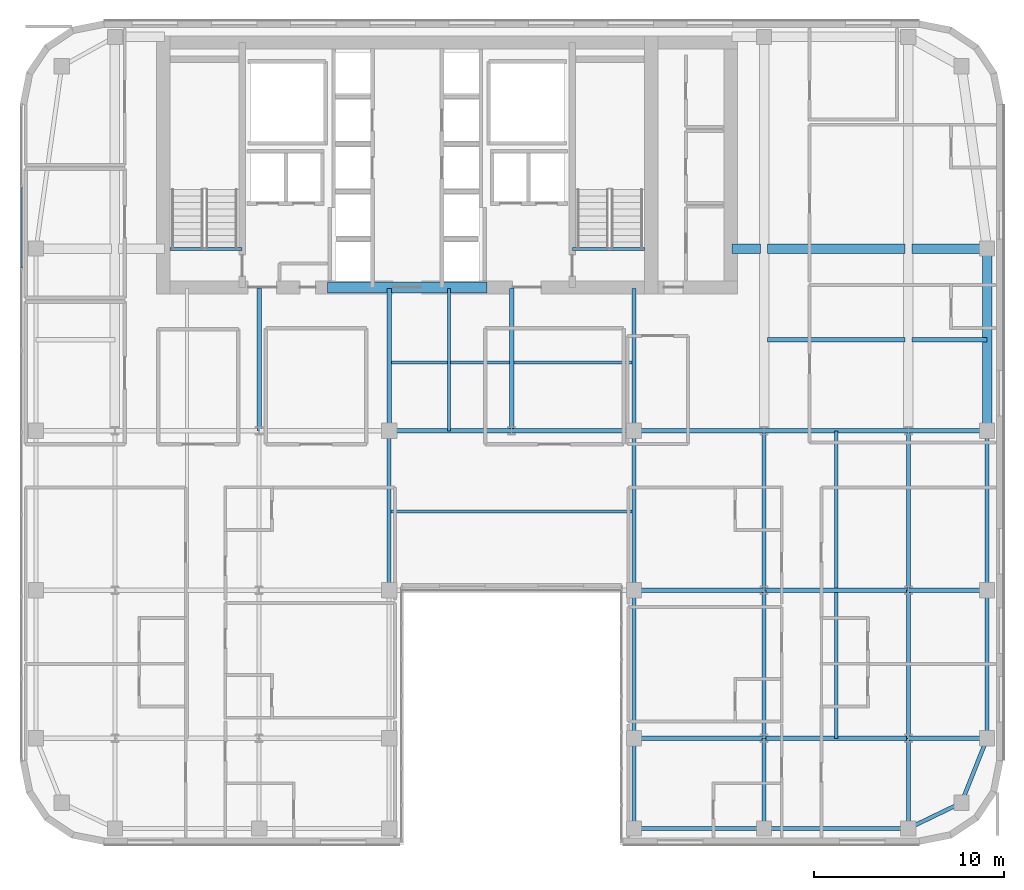
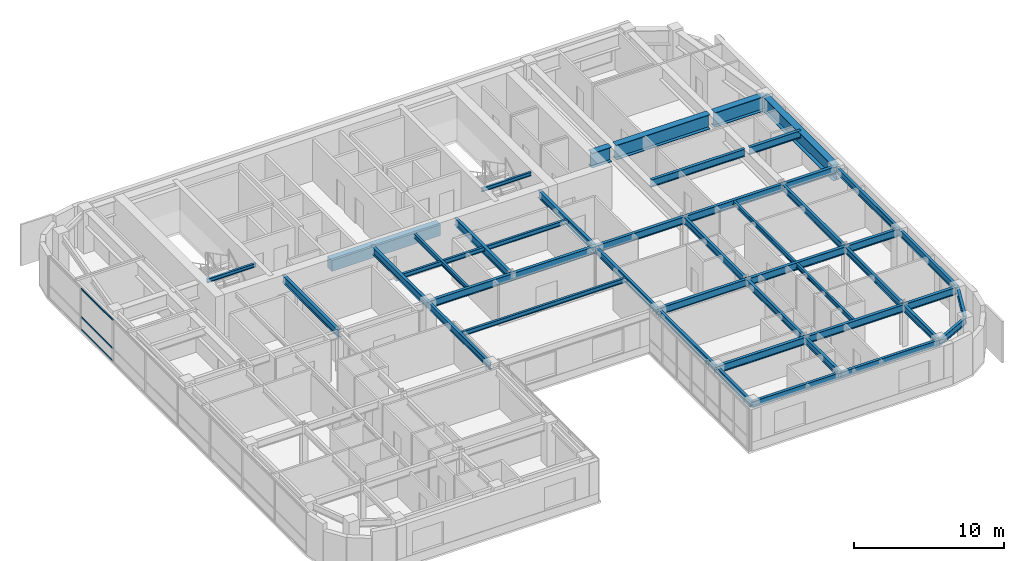
# One storey, part 12 of 28: 45 beams, 3 members, 1 element without a shape of its own.
"""IFC4 building model written with IfcOpenShell, lengths in metres."""

import ifcopenshell
import ifcopenshell.guid

model = None  # the IFC model being written
_history = None  # IfcOwnerHistory: only IFC2X3 demands one
_inside = {}  # id of a spatial element -> (the spatial element, [elements in it])
_under = {}  # id of a project, library or spatial element -> (it, [spatial elements below it])
_declared = {}  # id of a project -> (the project, [libraries it declares])
_typed = {}  # id of a type object -> (the type object, [elements of that type])
_made_of = {}  # id of a material, layer set ... -> (it, [elements and type objects made of it])


def new_model(schema):
    """Start an empty IFC model of exactly this schema.

    Asked for "IFC4X3", IfcOpenShell would pick the latest addendum, in which some entities
    have other attributes; the version numbers below select the first issue.
    IFC2X3 requires an IfcOwnerHistory on every rooted entity: one is made here for all.
    """
    global model, _history
    if schema == "IFC4X3":
        model = ifcopenshell.file(schema_version=(4, 3, 0, 0))
    else:
        model = ifcopenshell.file(schema=schema)
    _inside.clear()
    _under.clear()
    _declared.clear()
    _typed.clear()
    _made_of.clear()
    _history = None
    if model.schema == "IFC2X3":
        org = make("IfcOrganization", Name="unknown")
        user = make(
            "IfcPersonAndOrganization",
            ThePerson=make("IfcPerson", FamilyName="unknown"),
            TheOrganization=org,
        )
        app = make(
            "IfcApplication",
            ApplicationDeveloper=org,
            Version="unknown",
            ApplicationFullName="unknown",
            ApplicationIdentifier="unknown",
        )
        _history = make(
            "IfcOwnerHistory",
            OwningUser=user,
            OwningApplication=app,
            ChangeAction="ADDED",
            CreationDate=0,
        )
    return model


def make(cls, **values):
    """One entity of the class cls with the attributes given. An attribute that is None is left unset."""
    return model.create_entity(
        cls, **{name: value for name, value in values.items() if value is not None}
    )


def rooted(cls, **values):
    """An entity with a GlobalId (a new one), such as an element, a storey or a relation."""
    return make(cls, GlobalId=ifcopenshell.guid.new(), OwnerHistory=_history, **values)


def si_unit(unit_type, name, prefix=None):
    """IfcSIUnit, for example si_unit("LENGTHUNIT", "METRE", prefix="MILLI")."""
    return make("IfcSIUnit", UnitType=unit_type, Prefix=prefix, Name=name)


def assignment(units):
    """IfcUnitAssignment: the units of a project."""
    return None if units is None else make("IfcUnitAssignment", Units=units)


def point(xyz):
    """IfcCartesianPoint."""
    return None if xyz is None else make("IfcCartesianPoint", Coordinates=xyz)


def direction(xyz):
    """IfcDirection."""
    return None if xyz is None else make("IfcDirection", DirectionRatios=xyz)


def frame(location, z_axis=None, x_axis=None):
    """IfcAxis2Placement3D, a coordinate frame: its origin and axes. An axis left out is left unset."""
    return make(
        "IfcAxis2Placement3D",
        Location=point(location),
        Axis=direction(z_axis),
        RefDirection=direction(x_axis),
    )


def frame_2d(location, x_axis=None):
    """IfcAxis2Placement2D, a coordinate frame in the plane: its origin and x axis."""
    return make(
        "IfcAxis2Placement2D", Location=point(location), RefDirection=direction(x_axis)
    )


def origin():
    """The frame at (0, 0, 0) with its axes left unset."""
    return frame((0.0, 0.0, 0.0))


def origin_2d():
    """The frame at (0, 0) in the plane with its x axis left unset."""
    return frame_2d((0.0, 0.0))


def place(relative_to, where):
    """IfcLocalPlacement: puts the frame where relative to a parent placement (None: the world)."""
    return make(
        "IfcLocalPlacement", PlacementRelTo=relative_to, RelativePlacement=where
    )


def context(
    kind, dimensions, precision=None, world=None, true_north=None, identifier=None
):
    """IfcGeometricRepresentationContext, for example the 3D "Model" context."""
    return make(
        "IfcGeometricRepresentationContext",
        ContextIdentifier=identifier,
        ContextType=kind,
        CoordinateSpaceDimension=dimensions,
        Precision=precision,
        WorldCoordinateSystem=world,
        TrueNorth=true_north,
    )


def subcontext(parent, identifier, kind, view, scale=None):
    """IfcGeometricRepresentationSubContext, for example "Body" below "Model"."""
    return make(
        "IfcGeometricRepresentationSubContext",
        ContextIdentifier=identifier,
        ContextType=kind,
        ParentContext=parent,
        TargetScale=scale,
        TargetView=view,
    )


def project(units=None, contexts=None):
    """IfcProject with its units and contexts."""
    return rooted(
        "IfcProject",
        Name="project",
        RepresentationContexts=contexts,
        UnitsInContext=assignment(units),
    )


def spatial(cls, under=None, at=None, **own):
    """A site, building, storey or space (cls), placed at a placement, below another one or the project."""
    s = rooted(cls, ObjectPlacement=at, **own)
    if under is not None:
        _under.setdefault(under.id(), (under, []))[1].append(s)
    return s


def profile(cls, at=None, kind="AREA", **sizes):
    """A parametric profile (cls). Its sizes go by their IFC names, for example OverallWidth=200.0."""
    return make(cls, ProfileType=kind, Position=at, **sizes)


def rectangle(**sizes):
    """IfcRectangleProfileDef."""
    return profile("IfcRectangleProfileDef", **sizes)


def hollow_rectangle(**sizes):
    """IfcRectangleHollowProfileDef."""
    return profile("IfcRectangleHollowProfileDef", **sizes)


def i_section(**sizes):
    """IfcIShapeProfileDef."""
    return profile("IfcIShapeProfileDef", **sizes)


def extrude(swept, where, along, depth):
    """IfcExtrudedAreaSolid: the profile swept, set in the frame where, extruded along a direction by depth."""
    return make(
        "IfcExtrudedAreaSolid",
        SweptArea=swept,
        Position=where,
        ExtrudedDirection=direction(along),
        Depth=depth,
    )


def shape(context_of_items, identifier, shape_type, items):
    """IfcShapeRepresentation: the items that make up one representation, for example the "Body"."""
    return make(
        "IfcShapeRepresentation",
        ContextOfItems=context_of_items,
        RepresentationIdentifier=identifier,
        RepresentationType=shape_type,
        Items=items,
    )


def source(mapping_origin, context_of_items, identifier, shape_type, items):
    """IfcRepresentationMap: a shape defined once, which mapped items show again and again."""
    return make(
        "IfcRepresentationMap",
        MappingOrigin=mapping_origin,
        MappedRepresentation=shape(context_of_items, identifier, shape_type, items),
    )


def transform(
    local_origin,
    x_axis=None,
    y_axis=None,
    z_axis=None,
    scale=None,
    scale2=None,
    scale3=None,
    uniform=True,
):
    """IfcCartesianTransformationOperator3D, or its non-uniform kind. x_axis, y_axis, z_axis: its Axis1, 2, 3."""
    if uniform:
        return make(
            "IfcCartesianTransformationOperator3D",
            Axis1=direction(x_axis),
            Axis2=direction(y_axis),
            LocalOrigin=point(local_origin),
            Scale=scale,
            Axis3=direction(z_axis),
        )
    return make(
        "IfcCartesianTransformationOperator3DnonUniform",
        Axis1=direction(x_axis),
        Axis2=direction(y_axis),
        LocalOrigin=point(local_origin),
        Scale=scale,
        Axis3=direction(z_axis),
        Scale2=scale2,
        Scale3=scale3,
    )


def mapped(mapping_source, mapping_target):
    """IfcMappedItem: shows the shape of a source again, moved by a transform."""
    return make(
        "IfcMappedItem", MappingSource=mapping_source, MappingTarget=mapping_target
    )


def material(Name=None, Category=None):
    """IfcMaterial."""
    return make("IfcMaterial", Name=Name, Category=Category)


def layer(
    of_material, thickness, ventilated=None, Name=None, Category=None, Priority=None
):
    """IfcMaterialLayer: one layer of a wall or slab, of a material (None: an air gap)."""
    return make(
        "IfcMaterialLayer",
        Material=of_material,
        LayerThickness=thickness,
        IsVentilated=ventilated,
        Name=Name,
        Category=Category,
        Priority=Priority,
    )


def layer_set(layers, Name=None):
    """IfcMaterialLayerSet."""
    return make("IfcMaterialLayerSet", MaterialLayers=layers, LayerSetName=Name)


def material_profile(
    of_material, cross_section, Name=None, Category=None, Priority=None
):
    """IfcMaterialProfile: a cross section and its material."""
    return make(
        "IfcMaterialProfile",
        Name=Name,
        Material=of_material,
        Profile=cross_section,
        Priority=Priority,
        Category=Category,
    )


def profile_set(profiles, Name=None, composite=None):
    """IfcMaterialProfileSet."""
    return make(
        "IfcMaterialProfileSet",
        Name=Name,
        MaterialProfiles=profiles,
        CompositeProfile=composite,
    )


def made_of(thing, what):
    """Note that an element or type object is made of a material, layer set ...; save() writes the relation."""
    if what is not None:
        _made_of.setdefault(what.id(), (what, []))[1].append(thing)
    return thing


def type_object(cls, material=None, **own):
    """A type object (cls), such as IfcWallType, which elements share."""
    return made_of(rooted(cls, **own), material)


def type_shapes(of_type, sources):
    """Give a type object the sources (RepresentationMaps) that its elements show as mapped items."""
    of_type.RepresentationMaps = sources


def element(
    cls,
    number,
    at=None,
    inside=None,
    cuts=None,
    type_object=None,
    material=None,
    context=None,
    identifier="Body",
    shape_type=None,
    held_by="IfcProductDefinitionShape",
    body=None,
    shapes=None,
    **own,
):
    """One element of the class cls, such as IfcWall. Its Tag is "e" and its number.

    at: its placement. inside: the storey or other place that contains it. cuts: it is an
    opening in that element (IfcRelVoidsElement). A single representation is given by context,
    identifier, shape_type and body (its items); several are given by shapes. held_by: the class
    of the entity that holds the representations. save() writes the other relations.
    """
    e = rooted(cls, Tag="e%d" % number, ObjectPlacement=at, **own)
    if body is not None:
        shapes = [shape(context, identifier, shape_type, body)]
    if shapes is not None:
        e.Representation = make(held_by, Representations=shapes)
    if inside is not None:
        _inside.setdefault(inside.id(), (inside, []))[1].append(e)
    if cuts is not None:
        rooted(
            "IfcRelVoidsElement", RelatingBuildingElement=cuts, RelatedOpeningElement=e
        )
    if type_object is not None:
        _typed.setdefault(type_object.id(), (type_object, []))[1].append(e)
    return made_of(e, material)


def aggregate(whole, parts):
    """IfcRelAggregates: a whole, such as a stair, and the parts it consists of."""
    return rooted("IfcRelAggregates", RelatingObject=whole, RelatedObjects=parts)


def save(model, path):
    """Write the relations noted so far, then the file.

    IfcRelAggregates (storeys below a building ...), IfcRelContainedInSpatialStructure (elements
    in a storey), IfcRelDefinesByType, IfcRelAssociatesMaterial and IfcRelDeclares: one each for
    every whole, place, type object, material and project.
    """
    for whole, parts in _under.values():
        aggregate(whole, parts)
    for where, things in _inside.values():
        rooted(
            "IfcRelContainedInSpatialStructure",
            RelatedElements=things,
            RelatingStructure=where,
        )
    for kind, things in _typed.values():
        rooted("IfcRelDefinesByType", RelatedObjects=things, RelatingType=kind)
    for what, things in _made_of.values():
        rooted("IfcRelAssociatesMaterial", RelatedObjects=things, RelatingMaterial=what)
    for by, libraries in _declared.values():
        rooted("IfcRelDeclares", RelatingContext=by, RelatedDefinitions=libraries)
    model.write(path)


model = new_model("IFC4")

# Units and contexts
model_context = context("Model", 3, precision=1e-05, world=origin(), true_north=direction((0.0, 1.0)))
body_context = subcontext(model_context, "Body", "Model", "MODEL_VIEW")
ifc_project = project(units=[si_unit("LENGTHUNIT", "METRE"), si_unit("AREAUNIT", "SQUARE_METRE"), si_unit("VOLUMEUNIT", "CUBIC_METRE"), si_unit("PLANEANGLEUNIT", "RADIAN"), si_unit("MASSUNIT", "GRAM", prefix="KILO")], contexts=[model_context])

# Site, building, storey
site_placement = place(None, origin())
site = spatial("IfcSite", under=ifc_project, at=site_placement, CompositionType="ELEMENT")
building_placement = place(site_placement, origin())
building = spatial("IfcBuilding", under=site, at=building_placement, Name="Tolvann Quenvar Hotel", CompositionType="ELEMENT")
storey_placement = place(building_placement, frame((0.0, 0.0, 198.199951171875)))
storey = spatial("IfcBuildingStorey", under=building, at=storey_placement, Name="L52", CompositionType="ELEMENT", Elevation=198.199951171875)

# Beams
ifc_material_1 = material(Name="Concrete N50 (50 MPa)", Category="concrete")
ifc_material_profile_1 = material_profile(ifc_material_1, rectangle(XDim=0.60009765625, YDim=0.89990234375, at=origin_2d()), Name="RC600x900")
ifc_profile_set_1 = profile_set([ifc_material_profile_1], Name="Concrete N50 (50 MPa)")
beam_type_1 = type_object("IfcBeamType", Name="BM_LINT_RC600x900", PredefinedType="LINTEL", material=ifc_profile_set_1)
shared_shape_1 = source(origin(), body_context, "Body", "SweptSolid", [
    extrude(rectangle(XDim=0.60009765625, YDim=0.89990234375, at=origin_2d()), origin(), (0.0, 0.0, 1.0), 8.39990234375),
])
type_shapes(beam_type_1, [shared_shape_1])
beam_1_placement = place(storey_placement, frame((18.800048828125, 31.949951171875, 2.920166015625), z_axis=(1.0, 0.0, 0.0), x_axis=(0.0, 1.0, 0.0)))
element("IfcBeam", 1, at=beam_1_placement, inside=storey, type_object=beam_type_1, Name="Core Coupling Lintel Beam (L52)", PredefinedType="LINTEL", context=body_context, shape_type="MappedRepresentation", body=[
    mapped(shared_shape_1, transform((0.0, 0.0, 0.0), x_axis=(1.0, 0.0, 0.0), y_axis=(0.0, 1.0, 0.0), z_axis=(0.0, 0.0, 1.0), scale=1.0)),
])
ifc_material_2 = material(Name="Steel Grade 350", Category="steel")
ifc_material_profile_2 = material_profile(ifc_material_2, i_section(OverallWidth=0.5, OverallDepth=1.199951171875, WebThickness=0.01611328125, FlangeThickness=0.0400390625, at=origin_2d()), Name="1200WB455")
ifc_profile_set_2 = profile_set([ifc_material_profile_2], Name="Steel Grade 350")
beam_type_2 = type_object("IfcBeamType", Name="BM_TG_1200WB455", PredefinedType="USERDEFINED", material=ifc_profile_set_2)
shared_shape_2 = source(origin(), body_context, "Body", "SweptSolid", [
    extrude(i_section(OverallWidth=0.5, OverallDepth=1.199951171875, WebThickness=0.01611328125, FlangeThickness=0.0400390625, at=origin_2d()), origin(), (0.0, 0.0, 1.0), 9.60009765625),
])
beam_2_placement = place(storey_placement, frame((53.550048828125, 24.39990234375, 2.77001953125), z_axis=(0.0, 1.0, 0.0), x_axis=(-1.0, 0.0, 0.0)))
element("IfcBeam", 2, at=beam_2_placement, inside=storey, type_object=beam_type_2, Name="BM-L52-FLK-E1", ObjectType="TRANSFER GIRDER", PredefinedType="USERDEFINED", context=body_context, shape_type="MappedRepresentation", body=[
    mapped(shared_shape_2, transform((0.0, 0.0, 0.0), x_axis=(1.0, 0.0, 0.0), y_axis=(0.0, 1.0, 0.0), z_axis=(0.0, 0.0, 1.0), scale=1.0)),
])
ifc_material_profile_3 = material_profile(ifc_material_2, i_section(OverallWidth=0.208984375, OverallDepth=0.528076171875, WebThickness=0.009521484375, FlangeThickness=0.01318359375, FilletRadius=0.013916015625, at=origin_2d()), Name="530UB82")
ifc_profile_set_3 = profile_set([ifc_material_profile_3], Name="Steel Grade 350")
beam_type_3 = type_object("IfcBeamType", Name="BM_SPAND_530UB82", PredefinedType="SPANDREL", material=ifc_profile_set_3)
shared_shape_3 = source(origin(), body_context, "Body", "SweptSolid", [
    extrude(i_section(OverallWidth=0.208984375, OverallDepth=0.528076171875, WebThickness=0.009521484375, FlangeThickness=0.01318359375, FilletRadius=0.013916015625, at=origin_2d()), origin(), (0.0, 0.0, 1.0), 7.599853515625),
])
beam_3_placement = place(storey_placement, frame((41.800048828125, 3.449951171875, 3.10595703125), z_axis=(1.0, 0.0, 0.0), x_axis=(0.0, 1.0, 0.0)))
element("IfcBeam", 3, at=beam_3_placement, inside=storey, type_object=beam_type_3, Name="BM-L52-EW-2-H2-I2", PredefinedType="SPANDREL", context=body_context, shape_type="MappedRepresentation", body=[
    mapped(shared_shape_3, transform((0.0, 0.0, 0.0), x_axis=(1.0, 0.0, 0.0), y_axis=(0.0, 1.0, 0.0), z_axis=(0.0, 0.0, 1.0), scale=1.0)),
])
shared_shape_4 = source(origin(), body_context, "Body", "SweptSolid", [
    extrude(i_section(OverallWidth=0.208984375, OverallDepth=0.528076171875, WebThickness=0.009521484375, FlangeThickness=0.01318359375, FilletRadius=0.013916015625, at=origin_2d()), origin(), (0.0, 0.0, 1.0), 6.85009765625),
])
beam_4_placement = place(storey_placement, frame((34.949951171875, 3.449951171875, 3.10595703125), z_axis=(1.0, 0.0, 0.0), x_axis=(0.0, 1.0, 0.0)))
element("IfcBeam", 4, at=beam_4_placement, inside=storey, type_object=beam_type_3, Name="BM-L52-EW-2-F2-H2", PredefinedType="SPANDREL", context=body_context, shape_type="MappedRepresentation", body=[
    mapped(shared_shape_4, transform((0.0, 0.0, 0.0), x_axis=(1.0, 0.0, 0.0), y_axis=(0.0, 1.0, 0.0), z_axis=(0.0, 0.0, 1.0), scale=1.0)),
])
shared_shape_5 = source(origin(), body_context, "Body", "SweptSolid", [
    extrude(i_section(OverallWidth=0.208984375, OverallDepth=0.528076171875, WebThickness=0.009521484375, FlangeThickness=0.01318359375, FilletRadius=0.013916015625, at=origin_2d()), origin(), (0.0, 0.0, 1.0), 7.800048828125),
])
beam_5_placement = place(storey_placement, frame((53.550048828125, 8.199951171875, 3.10595703125), z_axis=(0.0, 1.0, 0.0), x_axis=(-1.0, 0.0, 0.0)))
element("IfcBeam", 5, at=beam_5_placement, inside=storey, type_object=beam_type_3, Name="BM-L52-NS-J3-J4", PredefinedType="SPANDREL", context=body_context, shape_type="MappedRepresentation", body=[
    mapped(shared_shape_5, transform((0.0, 0.0, 0.0), x_axis=(1.0, 0.0, 0.0), y_axis=(0.0, 1.0, 0.0), z_axis=(0.0, 0.0, 1.0), scale=1.0)),
])
shared_shape_6 = source(origin(), body_context, "Body", "SweptSolid", [
    extrude(i_section(OverallWidth=0.208984375, OverallDepth=0.528076171875, WebThickness=0.009521484375, FlangeThickness=0.01318359375, FilletRadius=0.013916015625, at=origin_2d()), origin(), (0.0, 0.0, 1.0), 8.39990234375),
])
beam_6_placement = place(storey_placement, frame((53.550048828125, 16.0, 3.10595703125), z_axis=(0.0, 1.0, 0.0), x_axis=(-1.0, 0.0, 0.0)))
element("IfcBeam", 6, at=beam_6_placement, inside=storey, type_object=beam_type_3, Name="BM-L52-NS-J4-J5", PredefinedType="SPANDREL", context=body_context, shape_type="MappedRepresentation", body=[
    mapped(shared_shape_6, transform((0.0, 0.0, 0.0), x_axis=(1.0, 0.0, 0.0), y_axis=(0.0, 1.0, 0.0), z_axis=(0.0, 0.0, 1.0), scale=1.0)),
])
ifc_material_profile_4 = material_profile(ifc_material_2, i_section(OverallWidth=0.208984375, OverallDepth=0.532958984375, WebThickness=0.01025390625, FlangeThickness=0.015625, FilletRadius=0.013916015625, at=origin_2d()), Name="530UB92")
ifc_profile_set_4 = profile_set([ifc_material_profile_4], Name="Steel Grade 350")
beam_type_4 = type_object("IfcBeamType", Name="BM_GIRD_530UB92", PredefinedType="BEAM", material=ifc_profile_set_4)
shared_shape_7 = source(origin(), body_context, "Body", "SweptSolid", [
    extrude(i_section(OverallWidth=0.208984375, OverallDepth=0.532958984375, WebThickness=0.01025390625, FlangeThickness=0.015625, FilletRadius=0.013916015625, at=origin_2d()), origin(), (0.0, 0.0, 1.0), 7.800048828125),
])
for number, where, z_axis, x_axis, name in (
    (7, (34.949951171875, 8.199951171875, 3.103515625), (0.0, 1.0, 0.0), (-1.0, 0.0, 0.0), "BM-L52-NS-F3-F4"),
    (8, (41.800048828125, 8.199951171875, 3.103515625), (0.0, 1.0, 0.0), (-1.0, 0.0, 0.0), "BM-L52-NS-H3-H4"),
    (9, (49.39990234375, 8.199951171875, 3.103515625), (0.0, 1.0, 0.0), (-1.0, 0.0, 0.0), "BM-L52-NS-I3-I4"),
):
    element("IfcBeam", number, at=place(storey_placement, frame(where, z_axis=z_axis, x_axis=x_axis)), inside=storey, type_object=beam_type_4, Name=name, PredefinedType="BEAM", context=body_context, shape_type="MappedRepresentation", body=[
        mapped(shared_shape_7, transform((0.0, 0.0, 0.0), x_axis=(1.0, 0.0, 0.0), y_axis=(0.0, 1.0, 0.0), z_axis=(0.0, 0.0, 1.0), scale=1.0)),
    ])
shared_shape_8 = source(origin(), body_context, "Body", "SweptSolid", [
    extrude(i_section(OverallWidth=0.208984375, OverallDepth=0.532958984375, WebThickness=0.01025390625, FlangeThickness=0.015625, FilletRadius=0.013916015625, at=origin_2d()), origin(), (0.0, 0.0, 1.0), 8.39990234375),
])
for number, where, z_axis, x_axis, name in (
    (10, (22.050048828125, 16.0, 3.103515625), (0.0, 1.0, 0.0), (-1.0, 0.0, 0.0), "BM-L52-NS-E4-E5"),
    (11, (34.949951171875, 16.0, 3.103515625), (0.0, 1.0, 0.0), (-1.0, 0.0, 0.0), "BM-L52-NS-F4-F5"),
    (12, (41.800048828125, 16.0, 3.103515625), (0.0, 1.0, 0.0), (-1.0, 0.0, 0.0), "BM-L52-NS-H4-H5"),
    (13, (49.39990234375, 16.0, 3.103515625), (0.0, 1.0, 0.0), (-1.0, 0.0, 0.0), "BM-L52-NS-I4-I5"),
):
    element("IfcBeam", number, at=place(storey_placement, frame(where, z_axis=z_axis, x_axis=x_axis)), inside=storey, type_object=beam_type_4, Name=name, PredefinedType="BEAM", context=body_context, shape_type="MappedRepresentation", body=[
        mapped(shared_shape_8, transform((0.0, 0.0, 0.0), x_axis=(1.0, 0.0, 0.0), y_axis=(0.0, 1.0, 0.0), z_axis=(0.0, 0.0, 1.0), scale=1.0)),
    ])
shared_shape_9 = source(origin(), body_context, "Body", "SweptSolid", [
    extrude(i_section(OverallWidth=0.5, OverallDepth=1.199951171875, WebThickness=0.01611328125, FlangeThickness=0.0400390625, at=origin_2d()), origin(), (0.0, 0.0, 1.0), 1.52001953125),
])
beam_7_placement = place(storey_placement, frame((40.10009765625, 34.0, 2.77001953125), z_axis=(1.0, 0.0, 0.0), x_axis=(0.0, 1.0, 0.0)))
element("IfcBeam", 14, at=beam_7_placement, inside=storey, type_object=beam_type_2, Name="BM-L52-CTE-JD6A", ObjectType="TRANSFER GIRDER", PredefinedType="USERDEFINED", context=body_context, shape_type="MappedRepresentation", body=[
    mapped(shared_shape_9, transform((0.0, 0.0, 0.0), x_axis=(1.0, 0.0, 0.0), y_axis=(0.0, 1.0, 0.0), z_axis=(0.0, 0.0, 1.0), scale=1.0)),
])
shared_shape_10 = source(origin(), body_context, "Body", "SweptSolid", [
    extrude(i_section(OverallWidth=0.5, OverallDepth=1.199951171875, WebThickness=0.01611328125, FlangeThickness=0.0400390625, at=origin_2d()), origin(), (0.0, 0.0, 1.0), 7.239990234375),
])
beam_8_placement = place(storey_placement, frame((41.97998046875, 34.0, 2.77001953125), z_axis=(1.0, 0.0, 0.0), x_axis=(0.0, 1.0, 0.0)))
element("IfcBeam", 15, at=beam_8_placement, inside=storey, type_object=beam_type_2, Name="BM-L52-CTE-JD6B", ObjectType="TRANSFER GIRDER", PredefinedType="USERDEFINED", context=body_context, shape_type="MappedRepresentation", body=[
    mapped(shared_shape_10, transform((0.0, 0.0, 0.0), x_axis=(1.0, 0.0, 0.0), y_axis=(0.0, 1.0, 0.0), z_axis=(0.0, 0.0, 1.0), scale=1.0)),
])
ifc_material_profile_5 = material_profile(ifc_material_2, i_section(OverallWidth=0.166015625, OverallDepth=0.306884765625, WebThickness=0.006591796875, FlangeThickness=0.01171875, FilletRadius=0.011474609375, at=origin_2d()), Name="310UB46")
ifc_profile_set_5 = profile_set([ifc_material_profile_5], Name="Steel Grade 350")
beam_type_5 = type_object("IfcBeamType", Name="BM_JOIST_310UB46", PredefinedType="JOIST", material=ifc_profile_set_5)
shared_shape_11 = source(origin(), body_context, "Body", "SweptSolid", [
    extrude(i_section(OverallWidth=0.166015625, OverallDepth=0.306884765625, WebThickness=0.006591796875, FlangeThickness=0.01171875, FilletRadius=0.011474609375, at=origin_2d()), origin(), (0.0, 0.0, 1.0), 3.800048828125),
])
type_shapes(beam_type_5, [shared_shape_11])
for number, where, z_axis, x_axis, name in (
    (16, (10.5, 33.97998046875, 3.216552734375), (1.0, 0.0, 0.0), (0.0, 1.0, 0.0), "BM-HDR-STC1-L53"),
    (17, (31.699951171875, 33.97998046875, 3.216552734375), (1.0, 0.0, 0.0), (0.0, 1.0, 0.0), "BM-HDR-STC2-L53"),
):
    element("IfcBeam", number, at=place(storey_placement, frame(where, z_axis=z_axis, x_axis=x_axis)), inside=storey, type_object=beam_type_5, Name=name, PredefinedType="JOIST", context=body_context, shape_type="MappedRepresentation", body=[
        mapped(shared_shape_11, transform((0.0, 0.0, 0.0), x_axis=(1.0, 0.0, 0.0), y_axis=(0.0, 1.0, 0.0), z_axis=(0.0, 0.0, 1.0), scale=1.0)),
    ])
shared_shape_12 = source(origin(), body_context, "Body", "SweptSolid", [
    extrude(i_section(OverallWidth=0.5, OverallDepth=1.199951171875, WebThickness=0.01611328125, FlangeThickness=0.0400390625, at=origin_2d()), origin(), (0.0, 0.0, 1.0), 3.969970703125),
])
type_shapes(beam_type_2, [shared_shape_2, shared_shape_9, shared_shape_10, shared_shape_12])
beam_9_placement = place(storey_placement, frame((49.580078125, 34.0, 2.77001953125), z_axis=(1.0, 0.0, 0.0), x_axis=(0.0, 1.0, 0.0)))
element("IfcBeam", 18, at=beam_9_placement, inside=storey, type_object=beam_type_2, Name="BM-L52-CTE-JD6C", ObjectType="TRANSFER GIRDER", PredefinedType="USERDEFINED", context=body_context, shape_type="MappedRepresentation", body=[
    mapped(shared_shape_12, transform((0.0, 0.0, 0.0), x_axis=(1.0, 0.0, 0.0), y_axis=(0.0, 1.0, 0.0), z_axis=(0.0, 0.0, 1.0), scale=1.0)),
])
ifc_material_profile_6 = material_profile(ifc_material_2, i_section(OverallWidth=0.172119140625, OverallDepth=0.35888671875, WebThickness=0.008056640625, FlangeThickness=0.012939453125, FilletRadius=0.011474609375, at=origin_2d()), Name="360UB57")
ifc_profile_set_6 = profile_set([ifc_material_profile_6], Name="Steel Grade 350")
beam_type_6 = type_object("IfcBeamType", Name="BM_JOIST_360UB57", PredefinedType="JOIST", material=ifc_profile_set_6)
shared_shape_13 = source(origin(), body_context, "Body", "SweptSolid", [
    extrude(i_section(OverallWidth=0.172119140625, OverallDepth=0.35888671875, WebThickness=0.008056640625, FlangeThickness=0.012939453125, FilletRadius=0.011474609375, at=origin_2d()), origin(), (0.0, 0.0, 1.0), 12.89990234375),
])
for number, where, z_axis, x_axis, name in (
    (19, (22.050048828125, 20.14990234375, 3.1904296875), (1.0, 0.0, 0.0), (0.0, 1.0, 0.0), "BM-L52-SPINE-20"),
    (20, (22.050048828125, 28.0, 3.1904296875), (1.0, 0.0, 0.0), (0.0, 1.0, 0.0), "BM-L52-SPINE-28"),
):
    element("IfcBeam", number, at=place(storey_placement, frame(where, z_axis=z_axis, x_axis=x_axis)), inside=storey, type_object=beam_type_6, Name=name, PredefinedType="JOIST", context=body_context, shape_type="MappedRepresentation", body=[
        mapped(shared_shape_13, transform((0.0, 0.0, 0.0), x_axis=(1.0, 0.0, 0.0), y_axis=(0.0, 1.0, 0.0), z_axis=(0.0, 0.0, 1.0), scale=1.0)),
    ])
shared_shape_14 = source(origin(), body_context, "Body", "SweptSolid", [
    extrude(i_section(OverallWidth=0.172119140625, OverallDepth=0.35888671875, WebThickness=0.008056640625, FlangeThickness=0.012939453125, FilletRadius=0.011474609375, at=origin_2d()), origin(), (0.0, 0.0, 1.0), 7.5),
])
beam_10_placement = place(storey_placement, frame((25.199951171875, 24.39990234375, 3.1904296875), z_axis=(0.0, 1.0, 0.0), x_axis=(-1.0, 0.0, 0.0)))
element("IfcBeam", 21, at=beam_10_placement, inside=storey, type_object=beam_type_6, Name="BJ-L52-252-244", PredefinedType="JOIST", context=body_context, shape_type="MappedRepresentation", body=[
    mapped(shared_shape_14, transform((0.0, 0.0, 0.0), x_axis=(1.0, 0.0, 0.0), y_axis=(0.0, 1.0, 0.0), z_axis=(0.0, 0.0, 1.0), scale=1.0)),
])
shared_shape_15 = source(origin(), body_context, "Body", "SweptSolid", [
    extrude(i_section(OverallWidth=0.208984375, OverallDepth=0.528076171875, WebThickness=0.009521484375, FlangeThickness=0.01318359375, FilletRadius=0.013916015625, at=origin_2d()), origin(), (0.0, 0.0, 1.0), 3.108642578125),
])
beam_11_placement = place(storey_placement, frame((49.39990234375, 3.449951171875, 3.10595703125), z_axis=(0.900759354066, 0.434318530646, 0.0), x_axis=(-0.434318530646, 0.900759354066, 0.0)))
element("IfcBeam", 22, at=beam_11_placement, inside=storey, type_object=beam_type_3, Name="BM-L52-EW-2-I2-J2", PredefinedType="SPANDREL", context=body_context, shape_type="MappedRepresentation", body=[
    mapped(shared_shape_15, transform((0.0, 0.0, 0.0), x_axis=(1.0, 0.0, 0.0), y_axis=(0.0, 1.0, 0.0), z_axis=(0.0, 0.0, 1.0), scale=1.0)),
])
ifc_material_profile_7 = material_profile(ifc_material_2, i_section(OverallWidth=0.22802734375, OverallDepth=0.60205078125, WebThickness=0.010498046875, FlangeThickness=0.014892578125, FilletRadius=0.013916015625, at=origin_2d()), Name="610UB101")
ifc_profile_set_7 = profile_set([ifc_material_profile_7], Name="Steel Grade 350")
beam_type_7 = type_object("IfcBeamType", Name="BM_GIRD_610UB101", PredefinedType="BEAM", material=ifc_profile_set_7)
shared_shape_16 = source(origin(), body_context, "Body", "SweptSolid", [
    extrude(i_section(OverallWidth=0.22802734375, OverallDepth=0.60205078125, WebThickness=0.010498046875, FlangeThickness=0.014892578125, FilletRadius=0.013916015625, at=origin_2d()), origin(), (0.0, 0.0, 1.0), 4.150146484375),
])
for number, where, z_axis, x_axis, name in (
    (23, (49.39990234375, 8.199951171875, 3.069091796875), (1.0, 0.0, 0.0), (0.0, 1.0, 0.0), "BM-L52-EW-3-I3-J3"),
    (24, (49.39990234375, 16.0, 3.069091796875), (1.0, 0.0, 0.0), (0.0, 1.0, 0.0), "BM-L52-EW-4-I4-J4"),
    (25, (49.39990234375, 24.39990234375, 3.069091796875), (1.0, 0.0, 0.0), (0.0, 1.0, 0.0), "BM-L52-EW-5-I5-J5"),
):
    element("IfcBeam", number, at=place(storey_placement, frame(where, z_axis=z_axis, x_axis=x_axis)), inside=storey, type_object=beam_type_7, Name=name, PredefinedType="BEAM", context=body_context, shape_type="MappedRepresentation", body=[
        mapped(shared_shape_16, transform((0.0, 0.0, 0.0), x_axis=(1.0, 0.0, 0.0), y_axis=(0.0, 1.0, 0.0), z_axis=(0.0, 0.0, 1.0), scale=1.0)),
    ])
shared_shape_17 = source(origin(), body_context, "Body", "SweptSolid", [
    extrude(i_section(OverallWidth=0.22802734375, OverallDepth=0.60205078125, WebThickness=0.010498046875, FlangeThickness=0.014892578125, FilletRadius=0.013916015625, at=origin_2d()), origin(), (0.0, 0.0, 1.0), 7.599853515625),
])
for number, where, z_axis, x_axis, name in (
    (26, (41.800048828125, 8.199951171875, 3.069091796875), (1.0, 0.0, 0.0), (0.0, 1.0, 0.0), "BM-L52-EW-3-H3-I3"),
    (27, (41.800048828125, 16.0, 3.069091796875), (1.0, 0.0, 0.0), (0.0, 1.0, 0.0), "BM-L52-EW-4-H4-I4"),
    (28, (41.800048828125, 24.39990234375, 3.069091796875), (1.0, 0.0, 0.0), (0.0, 1.0, 0.0), "BM-L52-EW-5-H5-I5"),
):
    element("IfcBeam", number, at=place(storey_placement, frame(where, z_axis=z_axis, x_axis=x_axis)), inside=storey, type_object=beam_type_7, Name=name, PredefinedType="BEAM", context=body_context, shape_type="MappedRepresentation", body=[
        mapped(shared_shape_17, transform((0.0, 0.0, 0.0), x_axis=(1.0, 0.0, 0.0), y_axis=(0.0, 1.0, 0.0), z_axis=(0.0, 0.0, 1.0), scale=1.0)),
    ])
shared_shape_18 = source(origin(), body_context, "Body", "SweptSolid", [
    extrude(i_section(OverallWidth=0.22802734375, OverallDepth=0.60205078125, WebThickness=0.010498046875, FlangeThickness=0.014892578125, FilletRadius=0.013916015625, at=origin_2d()), origin(), (0.0, 0.0, 1.0), 6.85009765625),
])
for number, where, z_axis, x_axis, name in (
    (29, (34.949951171875, 8.199951171875, 3.069091796875), (1.0, 0.0, 0.0), (0.0, 1.0, 0.0), "BM-L52-EW-3-F3-H3"),
    (30, (34.949951171875, 16.0, 3.069091796875), (1.0, 0.0, 0.0), (0.0, 1.0, 0.0), "BM-L52-EW-4-F4-H4"),
    (31, (34.949951171875, 24.39990234375, 3.069091796875), (1.0, 0.0, 0.0), (0.0, 1.0, 0.0), "BM-L52-EW-5-F5-H5"),
):
    element("IfcBeam", number, at=place(storey_placement, frame(where, z_axis=z_axis, x_axis=x_axis)), inside=storey, type_object=beam_type_7, Name=name, PredefinedType="BEAM", context=body_context, shape_type="MappedRepresentation", body=[
        mapped(shared_shape_18, transform((0.0, 0.0, 0.0), x_axis=(1.0, 0.0, 0.0), y_axis=(0.0, 1.0, 0.0), z_axis=(0.0, 0.0, 1.0), scale=1.0)),
    ])
shared_shape_19 = source(origin(), body_context, "Body", "SweptSolid", [
    extrude(i_section(OverallWidth=0.22802734375, OverallDepth=0.60205078125, WebThickness=0.010498046875, FlangeThickness=0.014892578125, FilletRadius=0.013916015625, at=origin_2d()), origin(), (0.0, 0.0, 1.0), 6.449951171875),
])
for number, where, z_axis, x_axis, name in (
    (32, (22.050048828125, 24.39990234375, 3.069091796875), (1.0, 0.0, 0.0), (0.0, 1.0, 0.0), "BM-L52-EW-5-E5-M5"),
    (33, (28.5, 24.39990234375, 3.069091796875), (1.0, 0.0, 0.0), (0.0, 1.0, 0.0), "BM-L52-EW-5-M5-F5"),
):
    element("IfcBeam", number, at=place(storey_placement, frame(where, z_axis=z_axis, x_axis=x_axis)), inside=storey, type_object=beam_type_7, Name=name, PredefinedType="BEAM", context=body_context, shape_type="MappedRepresentation", body=[
        mapped(shared_shape_19, transform((0.0, 0.0, 0.0), x_axis=(1.0, 0.0, 0.0), y_axis=(0.0, 1.0, 0.0), z_axis=(0.0, 0.0, 1.0), scale=1.0)),
    ])
shared_shape_20 = source(origin(), body_context, "Body", "SweptSolid", [
    extrude(i_section(OverallWidth=0.208984375, OverallDepth=0.528076171875, WebThickness=0.009521484375, FlangeThickness=0.01318359375, FilletRadius=0.013916015625, at=origin_2d()), origin(), (0.0, 0.0, 1.0), 3.658203125),
])
type_shapes(beam_type_3, [shared_shape_3, shared_shape_4, shared_shape_5, shared_shape_6, shared_shape_15, shared_shape_20])
beam_12_placement = place(storey_placement, frame((52.199951171875, 4.800048828125, 3.10595703125), z_axis=(0.369065163807, 0.929403521009, 0.0), x_axis=(-0.929403521009, 0.369065163807, 0.0)))
element("IfcBeam", 34, at=beam_12_placement, inside=storey, type_object=beam_type_3, Name="BM-L52-NS-J2-J3", PredefinedType="SPANDREL", context=body_context, shape_type="MappedRepresentation", body=[
    mapped(shared_shape_20, transform((0.0, 0.0, 0.0), x_axis=(1.0, 0.0, 0.0), y_axis=(0.0, 1.0, 0.0), z_axis=(0.0, 0.0, 1.0), scale=1.0)),
])
shared_shape_21 = source(origin(), body_context, "Body", "SweptSolid", [
    extrude(i_section(OverallWidth=0.208984375, OverallDepth=0.532958984375, WebThickness=0.01025390625, FlangeThickness=0.015625, FilletRadius=0.013916015625, at=origin_2d()), origin(), (0.0, 0.0, 1.0), 4.75),
])
type_shapes(beam_type_4, [shared_shape_7, shared_shape_8, shared_shape_21])
for number, where, z_axis, x_axis, name in (
    (35, (34.949951171875, 3.449951171875, 3.103515625), (0.0, 1.0, 0.0), (-1.0, 0.0, 0.0), "BM-L52-NS-F2-F3"),
    (36, (41.800048828125, 3.449951171875, 3.103515625), (0.0, 1.0, 0.0), (-1.0, 0.0, 0.0), "BM-L52-NS-H2-H3"),
    (37, (49.39990234375, 3.449951171875, 3.103515625), (0.0, 1.0, 0.0), (-1.0, 0.0, 0.0), "BM-L52-NS-I2-I3"),
):
    element("IfcBeam", number, at=place(storey_placement, frame(where, z_axis=z_axis, x_axis=x_axis)), inside=storey, type_object=beam_type_4, Name=name, PredefinedType="BEAM", context=body_context, shape_type="MappedRepresentation", body=[
        mapped(shared_shape_21, transform((0.0, 0.0, 0.0), x_axis=(1.0, 0.0, 0.0), y_axis=(0.0, 1.0, 0.0), z_axis=(0.0, 0.0, 1.0), scale=1.0)),
    ])
shared_shape_22 = source(origin(), body_context, "Body", "SweptSolid", [
    extrude(i_section(OverallWidth=0.22802734375, OverallDepth=0.60205078125, WebThickness=0.010498046875, FlangeThickness=0.014892578125, FilletRadius=0.013916015625, at=origin_2d()), origin(), (0.0, 0.0, 1.0), 7.5),
])
for number, where, z_axis, x_axis, name in (
    (38, (15.199951171875, 24.39990234375, 3.069091796875), (0.0, 1.0, 0.0), (-1.0, 0.0, 0.0), "BM-L52-CORE-D5"),
    (39, (22.050048828125, 24.39990234375, 3.069091796875), (0.0, 1.0, 0.0), (-1.0, 0.0, 0.0), "BM-L52-CORE-E5"),
    (40, (34.949951171875, 24.39990234375, 3.069091796875), (0.0, 1.0, 0.0), (-1.0, 0.0, 0.0), "BM-L52-CORE-F5"),
    (41, (28.5, 24.39990234375, 3.069091796875), (0.0, 1.0, 0.0), (-1.0, 0.0, 0.0), "BM-L52-CORE-M5"),
):
    element("IfcBeam", number, at=place(storey_placement, frame(where, z_axis=z_axis, x_axis=x_axis)), inside=storey, type_object=beam_type_7, Name=name, PredefinedType="BEAM", context=body_context, shape_type="MappedRepresentation", body=[
        mapped(shared_shape_22, transform((0.0, 0.0, 0.0), x_axis=(1.0, 0.0, 0.0), y_axis=(0.0, 1.0, 0.0), z_axis=(0.0, 0.0, 1.0), scale=1.0)),
    ])
shared_shape_23 = source(origin(), body_context, "Body", "SweptSolid", [
    extrude(i_section(OverallWidth=0.22802734375, OverallDepth=0.60205078125, WebThickness=0.010498046875, FlangeThickness=0.014892578125, FilletRadius=0.013916015625, at=origin_2d()), origin(), (0.0, 0.0, 1.0), 7.239990234375),
])
beam_13_placement = place(storey_placement, frame((41.97998046875, 29.199951171875, 3.069091796875), z_axis=(1.0, 0.0, 0.0), x_axis=(0.0, 1.0, 0.0)))
element("IfcBeam", 42, at=beam_13_placement, inside=storey, type_object=beam_type_7, Name="BM-L52-EW-HI29", PredefinedType="BEAM", context=body_context, shape_type="MappedRepresentation", body=[
    mapped(shared_shape_23, transform((0.0, 0.0, 0.0), x_axis=(1.0, 0.0, 0.0), y_axis=(0.0, 1.0, 0.0), z_axis=(0.0, 0.0, 1.0), scale=1.0)),
])
shared_shape_24 = source(origin(), body_context, "Body", "SweptSolid", [
    extrude(i_section(OverallWidth=0.22802734375, OverallDepth=0.60205078125, WebThickness=0.010498046875, FlangeThickness=0.014892578125, FilletRadius=0.013916015625, at=origin_2d()), origin(), (0.0, 0.0, 1.0), 3.969970703125),
])
type_shapes(beam_type_7, [shared_shape_16, shared_shape_17, shared_shape_18, shared_shape_19, shared_shape_22, shared_shape_23, shared_shape_24])
beam_14_placement = place(storey_placement, frame((49.580078125, 29.199951171875, 3.069091796875), z_axis=(1.0, 0.0, 0.0), x_axis=(0.0, 1.0, 0.0)))
element("IfcBeam", 43, at=beam_14_placement, inside=storey, type_object=beam_type_7, Name="BM-L52-EW-IJ29", PredefinedType="BEAM", context=body_context, shape_type="MappedRepresentation", body=[
    mapped(shared_shape_24, transform((0.0, 0.0, 0.0), x_axis=(1.0, 0.0, 0.0), y_axis=(0.0, 1.0, 0.0), z_axis=(0.0, 0.0, 1.0), scale=1.0)),
])
shared_shape_25 = source(origin(), body_context, "Body", "SweptSolid", [
    extrude(i_section(OverallWidth=0.172119140625, OverallDepth=0.35888671875, WebThickness=0.008056640625, FlangeThickness=0.012939453125, FilletRadius=0.011474609375, at=origin_2d()), origin(), (0.0, 0.0, 1.0), 7.692138671875),
])
beam_15_placement = place(storey_placement, frame((45.60009765625, 8.199951171875, 3.1904296875), z_axis=(0.0, 1.0, 0.0), x_axis=(-1.0, 0.0, 0.0)))
element("IfcBeam", 44, at=beam_15_placement, inside=storey, type_object=beam_type_6, Name="BJ-L52-456-82", PredefinedType="JOIST", context=body_context, shape_type="MappedRepresentation", body=[
    mapped(shared_shape_25, transform((0.0, 0.0, 0.0), x_axis=(1.0, 0.0, 0.0), y_axis=(0.0, 1.0, 0.0), z_axis=(0.0, 0.0, 1.0), scale=1.0)),
])
shared_shape_26 = source(origin(), body_context, "Body", "SweptSolid", [
    extrude(i_section(OverallWidth=0.172119140625, OverallDepth=0.35888671875, WebThickness=0.008056640625, FlangeThickness=0.012939453125, FilletRadius=0.011474609375, at=origin_2d()), origin(), (0.0, 0.0, 1.0), 8.2919921875),
])
type_shapes(beam_type_6, [shared_shape_13, shared_shape_14, shared_shape_25, shared_shape_26])
beam_16_placement = place(storey_placement, frame((45.60009765625, 16.10791015625, 3.1904296875), z_axis=(0.0, 1.0, 0.0), x_axis=(-1.0, 0.0, 0.0)))
element("IfcBeam", 45, at=beam_16_placement, inside=storey, type_object=beam_type_6, Name="BJ-L52-456-160", PredefinedType="JOIST", context=body_context, shape_type="MappedRepresentation", body=[
    mapped(shared_shape_26, transform((0.0, 0.0, 0.0), x_axis=(1.0, 0.0, 0.0), y_axis=(0.0, 1.0, 0.0), z_axis=(0.0, 0.0, 1.0), scale=1.0)),
])

# Curtain wall, members
ifc_material_3 = material(Name="Thermally broken anodised architectural aluminium 6063-T6 and laminated low-E glass", Category="aluminium")
ifc_layer = layer(ifc_material_3, 0.179931640625)
ifc_layer_set = layer_set([ifc_layer], Name="Thermally broken anodised architectural aluminium 6063-T6 and laminated low-E glass")
curtain_wall_type = type_object("IfcCurtainWallType", Name="CW_SYS_BAND_04", PredefinedType="USERDEFINED", material=ifc_layer_set)
curtain_wall_placement = place(storey_placement, origin())
curtain_wall = element("IfcCurtainWall", 46, at=curtain_wall_placement, inside=storey, type_object=curtain_wall_type, Name="Curtain Wall CW-BAND-04 (CWR-L52-E23)", ObjectType="UNITISED CURTAIN WALL", PredefinedType="USERDEFINED")
ifc_material_4 = material(Name="Anodised architectural aluminium 6063-T6 framing", Category="aluminium")
ifc_material_profile_8 = material_profile(ifc_material_4, hollow_rectangle(XDim=0.06005859375, YDim=0.1201171875, WallThickness=0.00341796875, at=origin_2d()), Name="120x60x3.5RHS")
ifc_profile_set_8 = profile_set([ifc_material_profile_8], Name="Anodised architectural aluminium 6063-T6 framing")
member_type = type_object("IfcMemberType", Name="CW_TRAN_120x60", PredefinedType="USERDEFINED", material=ifc_profile_set_8)
shared_shape_27 = source(origin(), body_context, "Body", "SweptSolid", [
    extrude(hollow_rectangle(XDim=0.06005859375, YDim=0.1201171875, WallThickness=0.00341796875, at=origin_2d()), origin(), (0.0, 0.0, 1.0), 4.250732421875),
])
type_shapes(member_type, [shared_shape_27])
member_1_placement = place(storey_placement, frame((2.68994140625, 37.22705078125, 0.030029296875), z_axis=(0.0, -1.0, 0.0), x_axis=(1.0, 0.0, 0.0)))
member_1 = element("IfcMember", 47, at=member_1_placement, type_object=member_type, Name="CW-BAND-04 transom 2.1", ObjectType="TRANSOM", PredefinedType="USERDEFINED", context=body_context, shape_type="MappedRepresentation", body=[
    mapped(shared_shape_27, transform((0.0, 0.0, 0.0), x_axis=(1.0, 0.0, 0.0), y_axis=(0.0, 1.0, 0.0), z_axis=(0.0, 0.0, 1.0), scale=1.0)),
])
member_2_placement = place(storey_placement, frame((2.68994140625, 37.22705078125, 1.050048828125), z_axis=(0.0, -1.0, 0.0), x_axis=(1.0, 0.0, 0.0)))
member_2 = element("IfcMember", 48, at=member_2_placement, type_object=member_type, Name="CW-BAND-04 transom 2.2", ObjectType="TRANSOM", PredefinedType="USERDEFINED", context=body_context, shape_type="MappedRepresentation", body=[
    mapped(shared_shape_27, transform((0.0, 0.0, 0.0), x_axis=(1.0, 0.0, 0.0), y_axis=(0.0, 1.0, 0.0), z_axis=(0.0, 0.0, 1.0), scale=1.0)),
])
member_3_placement = place(storey_placement, frame((2.68994140625, 37.22705078125, 3.340087890625), z_axis=(0.0, -1.0, 0.0), x_axis=(1.0, 0.0, 0.0)))
member_3 = element("IfcMember", 49, at=member_3_placement, type_object=member_type, Name="CW-BAND-04 transom 2.3", ObjectType="TRANSOM", PredefinedType="USERDEFINED", context=body_context, shape_type="MappedRepresentation", body=[
    mapped(shared_shape_27, transform((0.0, 0.0, 0.0), x_axis=(1.0, 0.0, 0.0), y_axis=(0.0, 1.0, 0.0), z_axis=(0.0, 0.0, 1.0), scale=1.0)),
])
aggregate(curtain_wall, [member_1, member_2, member_3])

save(model, "model.ifc")
